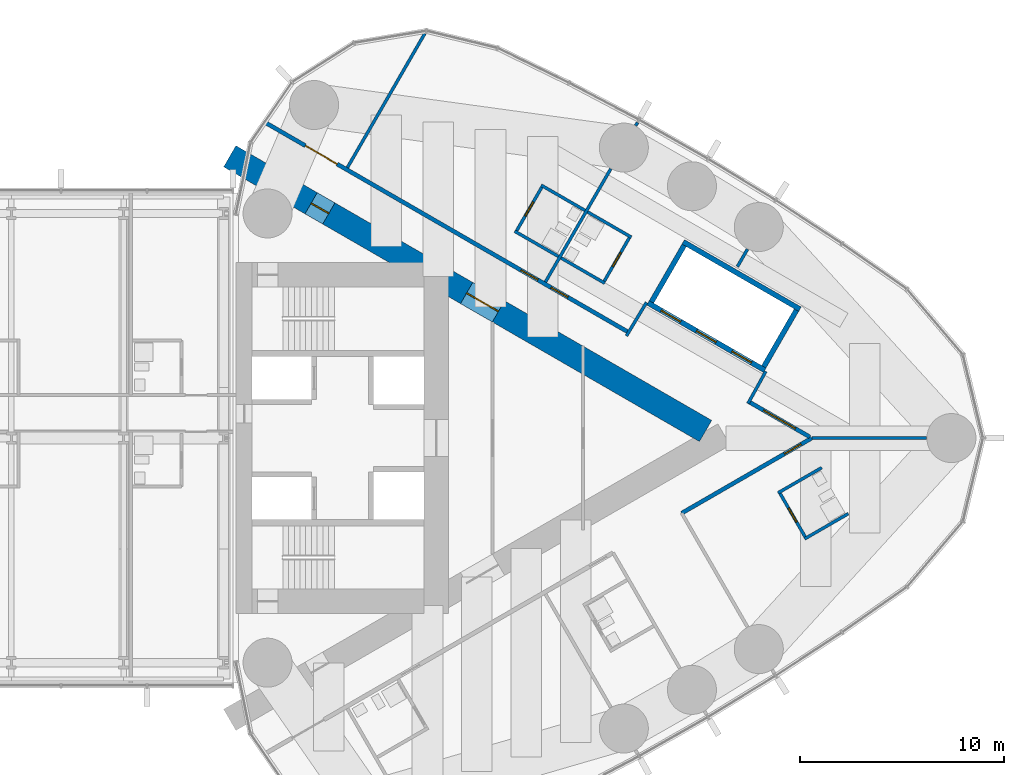
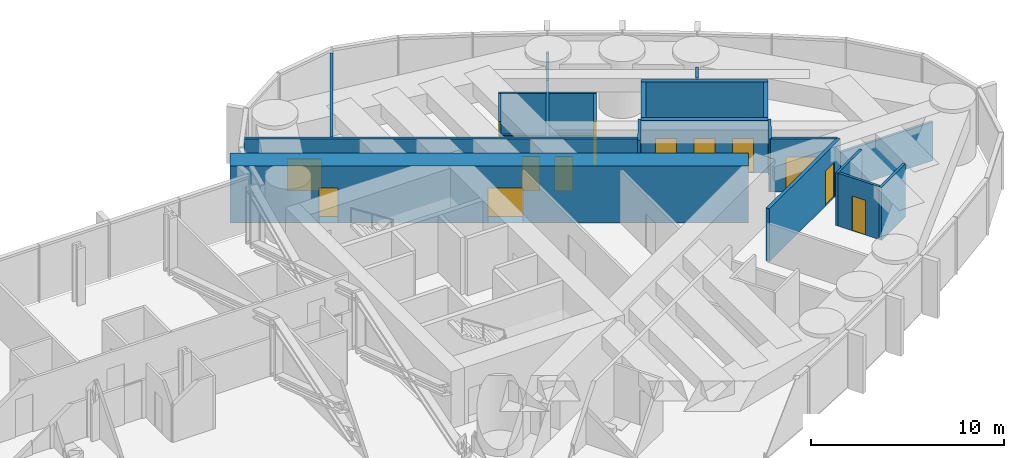
# One storey, part 19 of 22: 24 walls, 13 doors, 13 openings.
"""IFC4 building model written with IfcOpenShell, lengths in metres."""

from ifc_helpers import new_model, si_unit, direction, frame, frame_2d, origin, place, context, subcontext, project, spatial, rectangle, extrude, material, layer, layer_set, type_object, element, fill, save


model = new_model("IFC4")

# Units and contexts
model_context = context("Model", 3, precision=1e-05, world=origin(), true_north=direction((0.0, 1.0)))
body_context = subcontext(model_context, "Body", "Model", "MODEL_VIEW")
ifc_project = project(units=[si_unit("LENGTHUNIT", "METRE"), si_unit("AREAUNIT", "SQUARE_METRE"), si_unit("VOLUMEUNIT", "CUBIC_METRE"), si_unit("PLANEANGLEUNIT", "RADIAN"), si_unit("MASSUNIT", "GRAM", prefix="KILO")], contexts=[model_context])

# Site, building, storey
site_placement = place(None, origin())
site = spatial("IfcSite", under=ifc_project, at=site_placement, CompositionType="ELEMENT")
building_placement = place(site_placement, origin())
building = spatial("IfcBuilding", under=site, at=building_placement, Name="Lancet Gate Hotel", CompositionType="ELEMENT")
storey_placement = place(building_placement, frame((0.0, 0.0, 229.699951171875)))
storey = spatial("IfcBuildingStorey", under=building, at=storey_placement, Name="L61", CompositionType="ELEMENT", Elevation=229.699951171875)

# Wall
ifc_material_1 = material(Name="Moisture resistant board partition")
ifc_layer_1 = layer(ifc_material_1, 0.14990234375)
ifc_layer_set_1 = layer_set([ifc_layer_1], Name="Bathroom wall 150")
wall_type_1 = type_object("IfcWallType", Name="Bathroom wall 150", PredefinedType="PARTITIONING", material=ifc_layer_set_1)
wall_1_placement = place(storey_placement, frame((55.34912109375, -4.938232421875, 0.0), z_axis=(0.0, 0.0, 1.0), x_axis=(0.866006523861, 0.500032699561, 0.0)))
element("IfcWall", 1, at=wall_1_placement, inside=storey, type_object=wall_type_1, Name="T2 bathroom wall 150 L61", PredefinedType="PARTITIONING", context=body_context, shape_type="SweptSolid", body=[
    extrude(rectangle(XDim=2.474853515625, YDim=0.14990234375, at=frame_2d((1.2373046875, 0.0))), origin(), (0.0, 0.0, 1.0), 3.35009765625),
])

# Wall, opening, door
wall_2_placement = place(storey_placement, frame((54.114013671875, -2.64892578125, 0.0), z_axis=(0.0, 0.0, 1.0), x_axis=(0.500006934395, -0.866021400173, 0.0)))
wall_2 = element("IfcWall", 2, at=wall_2_placement, inside=storey, type_object=wall_type_1, Name="T2 bathroom wall 150 L61", PredefinedType="PARTITIONING", context=body_context, shape_type="SweptSolid", body=[
    extrude(rectangle(XDim=2.60009765625, YDim=0.14990234375, at=frame_2d((1.300048828125, 0.0))), origin(), (0.0, 0.0, 1.0), 3.35009765625),
])
opening_1_placement = place(wall_2_placement, frame((0.89990234375, 0.0, 0.0)))
opening_1 = element("IfcOpeningElement", 3, at=opening_1_placement, cuts=wall_2, Name="Opening 6155-B", PredefinedType="OPENING", context=body_context, shape_type="SweptSolid", body=[
    extrude(rectangle(XDim=0.800048828125, YDim=2.199951171875, at=frame_2d((0.39990234375, 1.10009765625))), frame((0.0, 0.0849609375, 0.0), z_axis=(0.0, -1.0, 0.0), x_axis=(1.0, 0.0, 0.0)), (0.0, 0.0, 1.0), 0.169921875),
])
ifc_material_2 = material(Name="Timber door set", Category="wood")
door_type_1 = type_object("IfcDoorType", Name="Bathroom door 800", OperationType="SINGLE_SWING_RIGHT", PredefinedType="DOOR", material=ifc_material_2)
door_1_placement = place(opening_1_placement, origin())
door_1 = element("IfcDoor", 4, at=door_1_placement, inside=storey, type_object=door_type_1, Name="6155-B", OperationType="SINGLE_SWING_RIGHT", OverallHeight=2.199951171875, OverallWidth=0.800048828125, PredefinedType="DOOR", context=body_context, shape_type="SweptSolid", body=[
    extrude(rectangle(XDim=0.800048828125, YDim=2.199951171875, at=frame_2d((0.39990234375, 1.10009765625))), frame((0.0, 0.02490234375, 0.0), z_axis=(0.0, -1.0, 0.0), x_axis=(1.0, 0.0, 0.0)), (0.0, 0.0, 1.0), 0.050048828125),
])
fill(opening_1, door_1)

# Walls
for number, where, z_axis, x_axis, name in (
    (5, (54.049072265625, -2.6865234375, 0.0), (0.0, 0.0, 1.0), (0.866006523861, 0.500032699561, 0.0), "T2 bathroom wall 150 L61"),
    (6, (44.724609375, 11.072265625, 0.0), (0.0, 0.0, 1.0), (0.866006523861, -0.500032699561, 0.0), "T2 bathroom wall 150 L61"),
):
    element("IfcWall", number, at=place(storey_placement, frame(where, z_axis=z_axis, x_axis=x_axis)), inside=storey, type_object=wall_type_1, Name=name, PredefinedType="PARTITIONING", context=body_context, shape_type="SweptSolid", body=[
        extrude(rectangle(XDim=2.474853515625, YDim=0.14990234375, at=frame_2d((1.2373046875, 0.0))), origin(), (0.0, 0.0, 1.0), 3.35009765625),
    ])

# Wall, opening, door
wall_3_placement = place(storey_placement, frame((45.5029296875, 7.62060546875, 0.0), z_axis=(0.0, 0.0, 1.0), x_axis=(0.500006934395, 0.866021400173, 0.0)))
wall_3 = element("IfcWall", 7, at=wall_3_placement, inside=storey, type_object=wall_type_1, Name="T2 bathroom wall 150 L61", PredefinedType="PARTITIONING", context=body_context, shape_type="SweptSolid", body=[
    extrude(rectangle(XDim=2.60009765625, YDim=0.14990234375, at=frame_2d((1.300048828125, 0.0))), origin(), (0.0, 0.0, 1.0), 3.35009765625),
])
opening_2_placement = place(wall_3_placement, frame((0.89990234375, 0.0, 0.0)))
opening_2 = element("IfcOpeningElement", 8, at=opening_2_placement, cuts=wall_3, Name="Opening 6158-B", PredefinedType="OPENING", context=body_context, shape_type="SweptSolid", body=[
    extrude(rectangle(XDim=0.800048828125, YDim=2.199951171875, at=frame_2d((0.39990234375, 1.10009765625))), frame((0.0, 0.0849609375, 0.0), z_axis=(0.0, -1.0, 0.0), x_axis=(1.0, 0.0, 0.0)), (0.0, 0.0, 1.0), 0.169921875),
])
door_2_placement = place(opening_2_placement, origin())
door_2 = element("IfcDoor", 9, at=door_2_placement, inside=storey, type_object=door_type_1, Name="6158-B", OperationType="SINGLE_SWING_RIGHT", OverallHeight=2.199951171875, OverallWidth=0.800048828125, PredefinedType="DOOR", context=body_context, shape_type="SweptSolid", body=[
    extrude(rectangle(XDim=0.800048828125, YDim=2.199951171875, at=frame_2d((0.39990234375, 1.10009765625))), frame((0.0, 0.02490234375, 0.0), z_axis=(0.0, -1.0, 0.0), x_axis=(1.0, 0.0, 0.0)), (0.0, 0.0, 1.0), 0.050048828125),
])
fill(opening_2, door_2)

# Walls
wall_4_placement = place(storey_placement, frame((43.424560546875, 8.820556640625, 0.0), z_axis=(0.0, 0.0, 1.0), x_axis=(0.866006523861, -0.500032699561, 0.0)))
element("IfcWall", 10, at=wall_4_placement, inside=storey, type_object=wall_type_1, Name="T2 bathroom wall 150 L61", PredefinedType="PARTITIONING", context=body_context, shape_type="SweptSolid", body=[
    extrude(rectangle(XDim=2.474853515625, YDim=0.14990234375, at=frame_2d((1.2373046875, 0.0))), origin(), (0.0, 0.0, 1.0), 2.5),
])
wall_5_placement = place(storey_placement, frame((42.451171875, 12.384765625, 0.0), z_axis=(0.0, 0.0, 1.0), x_axis=(0.866031185235, -0.4999899861, 0.0)))
element("IfcWall", 11, at=wall_5_placement, inside=storey, type_object=wall_type_1, Name="T2 bathroom wall 150 L61", PredefinedType="PARTITIONING", context=body_context, shape_type="SweptSolid", body=[
    extrude(rectangle(XDim=2.47509765625, YDim=0.14990234375, at=frame_2d((1.237548828125, 0.0))), origin(), (0.0, 0.0, 1.0), 3.35009765625),
])

# Wall, opening, door
wall_6_placement = place(storey_placement, frame((41.21630859375, 10.095458984375, 0.0), z_axis=(0.0, 0.0, 1.0), x_axis=(0.499936506574, 0.866062058628, 0.0)))
wall_6 = element("IfcWall", 12, at=wall_6_placement, inside=storey, type_object=wall_type_1, Name="T2 bathroom wall 150 L61", PredefinedType="PARTITIONING", context=body_context, shape_type="SweptSolid", body=[
    extrude(rectangle(XDim=2.599853515625, YDim=0.14990234375, at=frame_2d((1.2998046875, 0.0))), origin(), (0.0, 0.0, 1.0), 3.35009765625),
])
opening_3_placement = place(wall_6_placement, frame((0.89990234375, 0.0, 0.0)))
opening_3 = element("IfcOpeningElement", 13, at=opening_3_placement, cuts=wall_6, Name="Opening 6159-B", PredefinedType="OPENING", context=body_context, shape_type="SweptSolid", body=[
    extrude(rectangle(XDim=0.800048828125, YDim=2.199951171875, at=frame_2d((0.39990234375, 1.10009765625))), frame((0.0, 0.0849609375, 0.0), z_axis=(0.0, -1.0, 0.0), x_axis=(1.0, 0.0, 0.0)), (0.0, 0.0, 1.0), 0.169921875),
])
door_3_placement = place(opening_3_placement, origin())
door_3 = element("IfcDoor", 14, at=door_3_placement, inside=storey, type_object=door_type_1, Name="6159-B", OperationType="SINGLE_SWING_RIGHT", OverallHeight=2.199951171875, OverallWidth=0.800048828125, PredefinedType="DOOR", context=body_context, shape_type="SweptSolid", body=[
    extrude(rectangle(XDim=0.800048828125, YDim=2.199951171875, at=frame_2d((0.39990234375, 1.10009765625))), frame((0.0, 0.02490234375, 0.0), z_axis=(0.0, -1.0, 0.0), x_axis=(1.0, 0.0, 0.0)), (0.0, 0.0, 1.0), 0.050048828125),
])
fill(opening_3, door_3)

# Wall
wall_7_placement = place(storey_placement, frame((41.1513671875, 10.133056640625, 0.0), z_axis=(0.0, 0.0, 1.0), x_axis=(0.866006523861, -0.500032699561, 0.0)))
element("IfcWall", 15, at=wall_7_placement, inside=storey, type_object=wall_type_1, Name="T2 bathroom wall 150 L61", PredefinedType="PARTITIONING", context=body_context, shape_type="SweptSolid", body=[
    extrude(rectangle(XDim=2.474853515625, YDim=0.14990234375, at=frame_2d((1.2373046875, 0.0))), origin(), (0.0, 0.0, 1.0), 2.5),
])

# Wall, openings, doors
ifc_material_3 = material(Name="Concrete C70/85", Category="concrete")
ifc_layer_2 = layer(ifc_material_3, 1.199951171875)
ifc_layer_set_2 = layer_set([ifc_layer_2], Name="Buttress wall 1200")
wall_type_2 = type_object("IfcWallType", Name="Buttress wall 1200", PredefinedType="SHEAR", material=ifc_layer_set_2)
wall_8_placement = place(storey_placement, frame((27.199951171875, 13.800048828125, 0.0), z_axis=(0.0, 0.0, 1.0), x_axis=(0.866024515034, -0.500001539357, 0.0)))
wall_8 = element("IfcWall", 16, at=wall_8_placement, inside=storey, type_object=wall_type_2, Name="T2 buttress wall N L61", PredefinedType="SHEAR", context=body_context, shape_type="SweptSolid", body=[
    extrude(rectangle(XDim=26.9072265625, YDim=1.199951171875, at=frame_2d((13.45361328125, 0.0))), origin(), (0.0, 0.0, 1.0), 3.60009765625),
])
opening_4_placement = place(wall_8_placement, frame((4.60009765625, 0.0, 0.0)))
opening_4 = element("IfcOpeningElement", 17, at=opening_4_placement, cuts=wall_8, Name="Opening T2-L61-LN", PredefinedType="OPENING", context=body_context, shape_type="SweptSolid", body=[
    extrude(rectangle(XDim=1.0, YDim=2.199951171875, at=frame_2d((0.5, 1.10009765625))), frame((0.0, 0.60986328125, 0.0), z_axis=(0.0, -1.0, 0.0), x_axis=(1.0, 0.0, 0.0)), (0.0, 0.0, 1.0), 1.219970703125),
])
opening_5_placement = place(wall_8_placement, frame((13.39453125, 0.0, 0.0)))
opening_5 = element("IfcOpeningElement", 18, at=opening_5_placement, cuts=wall_8, Name="Opening T2-L61-LHN", PredefinedType="OPENING", context=body_context, shape_type="SweptSolid", body=[
    extrude(rectangle(XDim=1.800048828125, YDim=2.199951171875, at=frame_2d((0.89990234375, 1.10009765625))), frame((0.0, 0.60986328125, 0.0), z_axis=(0.0, -1.0, 0.0), x_axis=(1.0, 0.0, 0.0)), (0.0, 0.0, 1.0), 1.219970703125),
])
ifc_material_4 = material(Name="Timber door set", Category="wood")
door_type_2 = type_object("IfcDoorType", Name="Lobby double door 1800", OperationType="DOUBLE_DOOR_SINGLE_SWING", PredefinedType="DOOR", material=ifc_material_4)
door_4_placement = place(opening_5_placement, origin())
door_4 = element("IfcDoor", 19, at=door_4_placement, inside=storey, type_object=door_type_2, Name="T2-L61-LHN", OperationType="DOUBLE_DOOR_SINGLE_SWING", OverallHeight=2.199951171875, OverallWidth=1.800048828125, PredefinedType="DOOR", context=body_context, shape_type="SweptSolid", body=[
    extrude(rectangle(XDim=1.800048828125, YDim=2.199951171875, at=frame_2d((0.89990234375, 1.10009765625))), frame((0.0, 0.02490234375, 0.0), z_axis=(0.0, -1.0, 0.0), x_axis=(1.0, 0.0, 0.0)), (0.0, 0.0, 1.0), 0.050048828125),
])
fill(opening_5, door_4)
ifc_material_5 = material(Name="Timber door set", Category="wood")
door_type_3 = type_object("IfcDoorType", Name="Stair lobby door 1000", OperationType="SINGLE_SWING_LEFT", PredefinedType="DOOR", material=ifc_material_5)
door_5_placement = place(opening_4_placement, origin())
door_5 = element("IfcDoor", 20, at=door_5_placement, inside=storey, type_object=door_type_3, Name="T2-L61-LN", OperationType="SINGLE_SWING_LEFT", OverallHeight=2.199951171875, OverallWidth=1.0, PredefinedType="DOOR", context=body_context, shape_type="SweptSolid", body=[
    extrude(rectangle(XDim=1.0, YDim=2.199951171875, at=frame_2d((0.5, 1.10009765625))), frame((0.0, 0.02490234375, 0.0), z_axis=(0.0, -1.0, 0.0), x_axis=(1.0, 0.0, 0.0)), (0.0, 0.0, 1.0), 0.050048828125),
])
fill(opening_4, door_5)

ifc_material_6 = material(Name="Gypsum board partition")
ifc_layer_3 = layer(ifc_material_6, 0.199951171875)
ifc_layer_set_3 = layer_set([ifc_layer_3], Name="Corridor wall 200")
wall_type_3 = type_object("IfcWallType", Name="Corridor wall 200", PredefinedType="PARTITIONING", material=ifc_layer_set_3)
wall_9_placement = place(storey_placement, frame((28.958984375, 15.440185546875, 0.0), z_axis=(0.0, 0.0, 1.0), x_axis=(0.866028936079, -0.499993881836, 0.0)))
wall_9 = element("IfcWall", 21, at=wall_9_placement, inside=storey, type_object=wall_type_3, Name="T2 corridor wall 200 L61", PredefinedType="PARTITIONING", context=body_context, shape_type="SweptSolid", body=[
    extrude(rectangle(XDim=20.503173828125, YDim=0.199951171875, at=frame_2d((10.25146484375, 0.0))), origin(), (0.0, 0.0, 1.0), 3.35009765625),
])
opening_6_placement = place(wall_9_placement, frame((16.13720703125, 0.0, 0.0)))
opening_6 = element("IfcOpeningElement", 22, at=opening_6_placement, cuts=wall_9, Name="Opening 6158-E", PredefinedType="OPENING", context=body_context, shape_type="SweptSolid", body=[
    extrude(rectangle(XDim=0.949951171875, YDim=2.199951171875, at=frame_2d((0.47509765625, 1.10009765625))), frame((0.0, 0.10986328125, 0.0), z_axis=(0.0, -1.0, 0.0), x_axis=(1.0, 0.0, 0.0)), (0.0, 0.0, 1.0), 0.219970703125),
])
opening_7_placement = place(wall_9_placement, frame((14.437255859375, 0.0, 0.0)))
opening_7 = element("IfcOpeningElement", 23, at=opening_7_placement, cuts=wall_9, Name="Opening 6159-E", PredefinedType="OPENING", context=body_context, shape_type="SweptSolid", body=[
    extrude(rectangle(XDim=0.949951171875, YDim=2.199951171875, at=frame_2d((0.47509765625, 1.10009765625))), frame((0.0, 0.10986328125, 0.0), z_axis=(0.0, -1.0, 0.0), x_axis=(1.0, 0.0, 0.0)), (0.0, 0.0, 1.0), 0.219970703125),
])
opening_8_placement = place(wall_9_placement, frame((2.243896484375, 0.0, 0.0)))
opening_8 = element("IfcOpeningElement", 24, at=opening_8_placement, cuts=wall_9, Name="Opening 6160-E", PredefinedType="OPENING", context=body_context, shape_type="SweptSolid", body=[
    extrude(rectangle(XDim=1.800048828125, YDim=2.0400390625, at=frame_2d((0.89990234375, 1.02001953125))), frame((0.0, 0.10986328125, 0.0), z_axis=(0.0, -1.0, 0.0), x_axis=(1.0, 0.0, 0.0)), (0.0, 0.0, 1.0), 0.219970703125),
])
ifc_material_7 = material(Name="Timber door set", Category="wood")
door_type_4 = type_object("IfcDoorType", Name="Double door 1800, 2040 high", OperationType="DOUBLE_DOOR_SINGLE_SWING", PredefinedType="DOOR", material=ifc_material_7)
door_6_placement = place(opening_8_placement, origin())
door_6 = element("IfcDoor", 25, at=door_6_placement, inside=storey, type_object=door_type_4, Name="6160-E", OperationType="DOUBLE_DOOR_SINGLE_SWING", OverallHeight=2.0400390625, OverallWidth=1.800048828125, PredefinedType="DOOR", context=body_context, shape_type="SweptSolid", body=[
    extrude(rectangle(XDim=1.800048828125, YDim=2.0400390625, at=frame_2d((0.89990234375, 1.02001953125))), frame((0.0, 0.02490234375, 0.0), z_axis=(0.0, -1.0, 0.0), x_axis=(1.0, 0.0, 0.0)), (0.0, 0.0, 1.0), 0.050048828125),
])
fill(opening_8, door_6)
ifc_material_8 = material(Name="Timber door set", Category="wood")
door_type_5 = type_object("IfcDoorType", Name="Guest room entry door 950", OperationType="SINGLE_SWING_LEFT", PredefinedType="DOOR", material=ifc_material_8)
door_7_placement = place(opening_6_placement, origin())
door_7 = element("IfcDoor", 26, at=door_7_placement, inside=storey, type_object=door_type_5, Name="6158-E", OperationType="SINGLE_SWING_LEFT", OverallHeight=2.199951171875, OverallWidth=0.949951171875, PredefinedType="DOOR", context=body_context, shape_type="SweptSolid", body=[
    extrude(rectangle(XDim=0.949951171875, YDim=2.199951171875, at=frame_2d((0.47509765625, 1.10009765625))), frame((0.0, 0.02490234375, 0.0), z_axis=(0.0, -1.0, 0.0), x_axis=(1.0, 0.0, 0.0)), (0.0, 0.0, 1.0), 0.050048828125),
])
fill(opening_6, door_7)
door_8_placement = place(opening_7_placement, origin())
door_8 = element("IfcDoor", 27, at=door_8_placement, inside=storey, type_object=door_type_5, Name="6159-E", OperationType="SINGLE_SWING_LEFT", OverallHeight=2.199951171875, OverallWidth=0.949951171875, PredefinedType="DOOR", context=body_context, shape_type="SweptSolid", body=[
    extrude(rectangle(XDim=0.949951171875, YDim=2.199951171875, at=frame_2d((0.47509765625, 1.10009765625))), frame((0.0, 0.02490234375, 0.0), z_axis=(0.0, -1.0, 0.0), x_axis=(1.0, 0.0, 0.0)), (0.0, 0.0, 1.0), 0.050048828125),
])
fill(opening_7, door_8)

# Wall, opening, door
wall_10_placement = place(storey_placement, frame((52.63916015625, 1.7685546875, 0.0), z_axis=(0.0, 0.0, 1.0), x_axis=(0.866027340901, -0.4999966448, 0.0)))
wall_10 = element("IfcWall", 28, at=wall_10_placement, inside=storey, type_object=wall_type_3, Name="T2 corridor wall 200 L61", PredefinedType="PARTITIONING", context=body_context, shape_type="SweptSolid", body=[
    extrude(rectangle(XDim=3.4169921875, YDim=0.199951171875, at=frame_2d((1.70849609375, 0.0))), origin(), (0.0, 0.0, 1.0), 3.35009765625),
])
opening_9_placement = place(wall_10_placement, frame((0.80859375, 0.0, 0.0)))
opening_9 = element("IfcOpeningElement", 29, at=opening_9_placement, cuts=wall_10, Name="Opening T2-L61-LO1", PredefinedType="OPENING", context=body_context, shape_type="SweptSolid", body=[
    extrude(rectangle(XDim=1.800048828125, YDim=2.199951171875, at=frame_2d((0.89990234375, 1.10009765625))), frame((0.0, 0.10986328125, 0.0), z_axis=(0.0, -1.0, 0.0), x_axis=(1.0, 0.0, 0.0)), (0.0, 0.0, 1.0), 0.219970703125),
])
ifc_material_9 = material(Name="Timber door set", Category="wood")
door_type_6 = type_object("IfcDoorType", Name="Double door 1800", OperationType="DOUBLE_DOOR_SINGLE_SWING", PredefinedType="DOOR", material=ifc_material_9)
door_9_placement = place(opening_9_placement, origin())
door_9 = element("IfcDoor", 30, at=door_9_placement, inside=storey, type_object=door_type_6, Name="T2-L61-LO1", OperationType="DOUBLE_DOOR_SINGLE_SWING", OverallHeight=2.199951171875, OverallWidth=1.800048828125, PredefinedType="DOOR", context=body_context, shape_type="SweptSolid", body=[
    extrude(rectangle(XDim=1.800048828125, YDim=2.199951171875, at=frame_2d((0.89990234375, 1.10009765625))), frame((0.0, 0.02490234375, 0.0), z_axis=(0.0, -1.0, 0.0), x_axis=(1.0, 0.0, 0.0)), (0.0, 0.0, 1.0), 0.050048828125),
])
fill(opening_9, door_9)

wall_11_placement = place(storey_placement, frame((49.335205078125, -3.676025390625, 0.0), z_axis=(0.0, 0.0, 1.0), x_axis=(0.866021344046, 0.500007031608, 0.0)))
wall_11 = element("IfcWall", 31, at=wall_11_placement, inside=storey, type_object=wall_type_3, Name="T2 corridor wall 200 L61", PredefinedType="PARTITIONING", context=body_context, shape_type="SweptSolid", body=[
    extrude(rectangle(XDim=7.35205078125, YDim=0.199951171875, at=frame_2d((3.676025390625, 0.0))), origin(), (0.0, 0.0, 1.0), 3.35009765625),
])
opening_10_placement = place(wall_11_placement, frame((5.802001953125, 0.0, 0.0)))
opening_10 = element("IfcOpeningElement", 32, at=opening_10_placement, cuts=wall_11, Name="Opening 6155-E", PredefinedType="OPENING", context=body_context, shape_type="SweptSolid", body=[
    extrude(rectangle(XDim=0.949951171875, YDim=2.199951171875, at=frame_2d((0.47509765625, 1.10009765625))), frame((0.0, 0.10986328125, 0.0), z_axis=(0.0, -1.0, 0.0), x_axis=(1.0, 0.0, 0.0)), (0.0, 0.0, 1.0), 0.219970703125),
])
door_10_placement = place(opening_10_placement, origin())
door_10 = element("IfcDoor", 33, at=door_10_placement, inside=storey, type_object=door_type_5, Name="6155-E", OperationType="SINGLE_SWING_LEFT", OverallHeight=2.199951171875, OverallWidth=0.949951171875, PredefinedType="DOOR", context=body_context, shape_type="SweptSolid", body=[
    extrude(rectangle(XDim=0.949951171875, YDim=2.199951171875, at=frame_2d((0.47509765625, 1.10009765625))), frame((0.0, 0.02490234375, 0.0), z_axis=(0.0, -1.0, 0.0), x_axis=(1.0, 0.0, 0.0)), (0.0, 0.0, 1.0), 0.050048828125),
])
fill(opening_10, door_10)

# Wall, openings, doors
ifc_material_10 = material(Name="Gypsum board partition")
ifc_layer_4 = layer(ifc_material_10, 0.25)
ifc_layer_set_4 = layer_set([ifc_layer_4], Name="Lift shaft partition 250")
wall_type_4 = type_object("IfcWallType", Name="Lift shaft partition 250", PredefinedType="PARTITIONING", material=ifc_layer_set_4)
wall_12_placement = place(storey_placement, frame((47.681396484375, 6.622314453125, 0.0), z_axis=(0.0, 0.0, 1.0), x_axis=(0.86603344179, -0.499986077507, 0.0)))
wall_12 = element("IfcWall", 34, at=wall_12_placement, inside=storey, type_object=wall_type_4, Name="T2 lift shaft wall HL L61", PredefinedType="PARTITIONING", context=body_context, shape_type="SweptSolid", body=[
    extrude(rectangle(XDim=6.600341796875, YDim=0.25, at=frame_2d((3.30029296875, 0.0))), origin(), (0.0, 0.0, 1.0), 3.35009765625),
])
opening_11_placement = place(wall_12_placement, frame((0.75, 0.0, 0.0)))
opening_11 = element("IfcOpeningElement", 35, at=opening_11_placement, cuts=wall_12, Name="Opening T2-HL1-L61", PredefinedType="OPENING", context=body_context, shape_type="SweptSolid", body=[
    extrude(rectangle(XDim=1.10009765625, YDim=2.199951171875, at=frame_2d((0.550048828125, 1.10009765625))), frame((0.0, 0.135009765625, 0.0), z_axis=(0.0, -1.0, 0.0), x_axis=(1.0, 0.0, 0.0)), (0.0, 0.0, 1.0), 0.27001953125),
])
opening_12_placement = place(wall_12_placement, frame((2.75, 0.0, 0.0)))
opening_12 = element("IfcOpeningElement", 36, at=opening_12_placement, cuts=wall_12, Name="Opening T2-HL2-L61", PredefinedType="OPENING", context=body_context, shape_type="SweptSolid", body=[
    extrude(rectangle(XDim=1.10009765625, YDim=2.199951171875, at=frame_2d((0.550048828125, 1.10009765625))), frame((0.0, 0.135009765625, 0.0), z_axis=(0.0, -1.0, 0.0), x_axis=(1.0, 0.0, 0.0)), (0.0, 0.0, 1.0), 0.27001953125),
])
opening_13_placement = place(wall_12_placement, frame((4.75, 0.0, 0.0)))
opening_13 = element("IfcOpeningElement", 37, at=opening_13_placement, cuts=wall_12, Name="Opening T2-HL3-L61", PredefinedType="OPENING", context=body_context, shape_type="SweptSolid", body=[
    extrude(rectangle(XDim=1.10009765625, YDim=2.199951171875, at=frame_2d((0.550048828125, 1.10009765625))), frame((0.0, 0.135009765625, 0.0), z_axis=(0.0, -1.0, 0.0), x_axis=(1.0, 0.0, 0.0)), (0.0, 0.0, 1.0), 0.27001953125),
])
ifc_material_11 = material(Name="Steel door set", Category="steel")
door_type_7 = type_object("IfcDoorType", Name="Lift landing door 1100", OperationType="DOUBLE_DOOR_SLIDING", PredefinedType="USERDEFINED", material=ifc_material_11)
door_11_placement = place(opening_11_placement, origin())
door_11 = element("IfcDoor", 38, at=door_11_placement, inside=storey, type_object=door_type_7, Name="T2-HL1-L61", ObjectType="LIFT LANDING DOOR", OperationType="DOUBLE_DOOR_SLIDING", OverallHeight=2.199951171875, OverallWidth=1.10009765625, PredefinedType="USERDEFINED", context=body_context, shape_type="SweptSolid", body=[
    extrude(rectangle(XDim=1.10009765625, YDim=2.199951171875, at=frame_2d((0.550048828125, 1.10009765625))), frame((0.0, 0.02490234375, 0.0), z_axis=(0.0, -1.0, 0.0), x_axis=(1.0, 0.0, 0.0)), (0.0, 0.0, 1.0), 0.050048828125),
])
fill(opening_11, door_11)
door_12_placement = place(opening_12_placement, origin())
door_12 = element("IfcDoor", 39, at=door_12_placement, inside=storey, type_object=door_type_7, Name="T2-HL2-L61", ObjectType="LIFT LANDING DOOR", OperationType="DOUBLE_DOOR_SLIDING", OverallHeight=2.199951171875, OverallWidth=1.10009765625, PredefinedType="USERDEFINED", context=body_context, shape_type="SweptSolid", body=[
    extrude(rectangle(XDim=1.10009765625, YDim=2.199951171875, at=frame_2d((0.550048828125, 1.10009765625))), frame((0.0, 0.02490234375, 0.0), z_axis=(0.0, -1.0, 0.0), x_axis=(1.0, 0.0, 0.0)), (0.0, 0.0, 1.0), 0.050048828125),
])
fill(opening_12, door_12)
door_13_placement = place(opening_13_placement, origin())
door_13 = element("IfcDoor", 40, at=door_13_placement, inside=storey, type_object=door_type_7, Name="T2-HL3-L61", ObjectType="LIFT LANDING DOOR", OperationType="DOUBLE_DOOR_SLIDING", OverallHeight=2.199951171875, OverallWidth=1.10009765625, PredefinedType="USERDEFINED", context=body_context, shape_type="SweptSolid", body=[
    extrude(rectangle(XDim=1.10009765625, YDim=2.199951171875, at=frame_2d((0.550048828125, 1.10009765625))), frame((0.0, 0.02490234375, 0.0), z_axis=(0.0, -1.0, 0.0), x_axis=(1.0, 0.0, 0.0)), (0.0, 0.0, 1.0), 0.050048828125),
])
fill(opening_13, door_13)

# Walls
wall_13_placement = place(storey_placement, frame((49.406494140625, 9.61083984375, 0.0), z_axis=(0.0, 0.0, 1.0), x_axis=(0.86603344179, -0.499986077507, 0.0)))
element("IfcWall", 41, at=wall_13_placement, inside=storey, type_object=wall_type_4, Name="T2 lift shaft wall HL L61", PredefinedType="PARTITIONING", context=body_context, shape_type="SweptSolid", body=[
    extrude(rectangle(XDim=6.600341796875, YDim=0.25, at=frame_2d((3.30029296875, 0.0))), origin(), (0.0, 0.0, 1.0), 3.35009765625),
])
wall_14_placement = place(storey_placement, frame((47.852294921875, 6.66796875, 0.0), z_axis=(0.0, 0.0, 1.0), x_axis=(0.499929347863, 0.866066190972, 0.0)))
element("IfcWall", 42, at=wall_14_placement, inside=storey, type_object=wall_type_4, Name="T2 lift shaft wall HL L61", PredefinedType="PARTITIONING", context=body_context, shape_type="SweptSolid", body=[
    extrude(rectangle(XDim=3.20068359375, YDim=0.25, at=frame_2d((1.600341796875, 0.0))), origin(), (0.0, 0.0, 1.0), 3.35009765625),
])
wall_15_placement = place(storey_placement, frame((53.351806640625, 3.492919921875, 0.0), z_axis=(0.0, 0.0, 1.0), x_axis=(0.499872130319, 0.866099216793, 0.0)))
element("IfcWall", 43, at=wall_15_placement, inside=storey, type_object=wall_type_4, Name="T2 lift shaft wall HL L61", PredefinedType="PARTITIONING", context=body_context, shape_type="SweptSolid", body=[
    extrude(rectangle(XDim=3.200439453125, YDim=0.25, at=frame_2d((1.60009765625, 0.0))), origin(), (0.0, 0.0, 1.0), 3.35009765625),
])
ifc_material_12 = material(Name="Gypsum board partition")
ifc_layer_5 = layer(ifc_material_12, 0.14990234375)
ifc_layer_set_5 = layer_set([ifc_layer_5], Name="Party wall 150")
wall_type_5 = type_object("IfcWallType", Name="Party wall 150", PredefinedType="PARTITIONING", material=ifc_layer_set_5)
wall_16_placement = place(storey_placement, frame((32.9599609375, 13.24560546875, 0.0), z_axis=(0.0, 0.0, 1.0), x_axis=(0.500000236886, 0.866025267018, 0.0)))
element("IfcWall", 44, at=wall_16_placement, inside=storey, type_object=wall_type_5, Name="T2 party wall 150 L61", PredefinedType="PARTITIONING", context=body_context, shape_type="SweptSolid", body=[
    extrude(rectangle(XDim=7.58251953125, YDim=0.14990234375, at=frame_2d((3.791259765625, 0.0))), origin(), (0.0, 0.0, 1.0), 3.35009765625),
])
wall_17_placement = place(storey_placement, frame((42.65966796875, 7.6455078125, 0.0), z_axis=(0.0, 0.0, 1.0), x_axis=(0.499996592859, 0.866027370889, 0.0)))
element("IfcWall", 45, at=wall_17_placement, inside=storey, type_object=wall_type_5, Name="T2 party wall 150 L61", PredefinedType="PARTITIONING", context=body_context, shape_type="SweptSolid", body=[
    extrude(rectangle(XDim=6.3984375, YDim=0.14990234375, at=frame_2d((3.19921875, 0.0))), origin(), (0.0, 0.0, 1.0), 2.449951171875),
])
wall_18_placement = place(storey_placement, frame((47.078857421875, 15.2998046875, 0.0), z_axis=(0.0, 0.0, 1.0), x_axis=(0.499212083968, 0.866479829667, 0.0)))
element("IfcWall", 46, at=wall_18_placement, inside=storey, type_object=wall_type_5, Name="T2 party wall 150 L61", PredefinedType="PARTITIONING", context=body_context, shape_type="SweptSolid", body=[
    extrude(rectangle(XDim=0.179443359375, YDim=0.14990234375, at=frame_2d((0.08984375, 0.0))), origin(), (0.0, 0.0, 1.0), 2.449951171875),
])
wall_19_placement = place(storey_placement, frame((55.7021484375, 0.0, 0.0), z_axis=(0.0, 0.0, 1.0), x_axis=(1.0, 0.0, 0.0)))
element("IfcWall", 47, at=wall_19_placement, inside=storey, type_object=wall_type_5, Name="T2 party wall 150 L61", PredefinedType="PARTITIONING", context=body_context, shape_type="SweptSolid", body=[
    extrude(rectangle(XDim=5.619384765625, YDim=0.14990234375, at=frame_2d((2.8095703125, 0.0))), origin(), (0.0, 0.0, 1.0), 2.449951171875),
])
wall_20_placement = place(storey_placement, frame((52.060302734375, 8.396240234375, 0.0), z_axis=(0.0, 0.0, 1.0), x_axis=(0.500095379624, 0.865970329329, 0.0)))
element("IfcWall", 48, at=wall_20_placement, inside=storey, type_object=wall_type_5, Name="T2 party wall 150 L61", PredefinedType="PARTITIONING", context=body_context, shape_type="SweptSolid", body=[
    extrude(rectangle(XDim=0.982177734375, YDim=0.14990234375, at=frame_2d((0.4912109375, 0.0))), origin(), (0.0, 0.0, 1.0), 3.35009765625),
])
ifc_material_13 = material(Name="Gypsum board partition")
ifc_layer_6 = layer(ifc_material_13, 0.14990234375)
ifc_layer_set_6 = layer_set([ifc_layer_6], Name="Service room wall 150")
wall_type_6 = type_object("IfcWallType", Name="Service room wall 150", PredefinedType="PARTITIONING", material=ifc_layer_set_6)
wall_21_placement = place(storey_placement, frame((47.6064453125, 6.642333984375, 0.0), z_axis=(0.0, 0.0, 1.0), x_axis=(-0.51353662755, -0.858067673418, 0.0)))
element("IfcWall", 49, at=wall_21_placement, inside=storey, type_object=wall_type_6, Name="T2 service room wall 150 L61", PredefinedType="PARTITIONING", context=body_context, shape_type="SweptSolid", body=[
    extrude(rectangle(XDim=1.90966796875, YDim=0.14990234375, at=frame_2d((0.954833984375, 0.0))), origin(), (0.0, 0.0, 1.0), 3.35009765625),
])
wall_22_placement = place(storey_placement, frame((52.576171875, 1.689453125, 0.0), z_axis=(0.0, 0.0, 1.0), x_axis=(0.485424724123, 0.874278466629, 0.0)))
element("IfcWall", 50, at=wall_22_placement, inside=storey, type_object=wall_type_6, Name="T2 service room wall 150 L61", PredefinedType="PARTITIONING", context=body_context, shape_type="SweptSolid", body=[
    extrude(rectangle(XDim=1.80517578125, YDim=0.14990234375, at=frame_2d((0.902587890625, 0.0))), origin(), (0.0, 0.0, 1.0), 3.35009765625),
])

save(model, "model.ifc")
